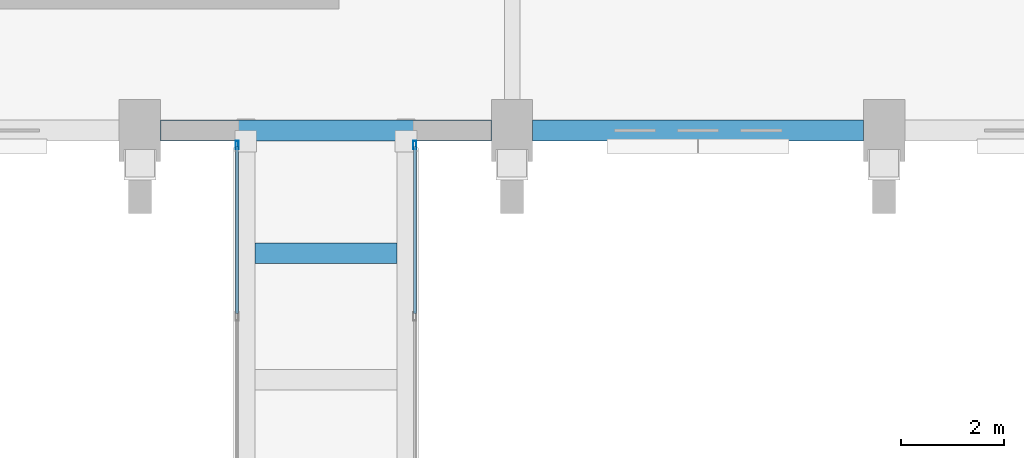
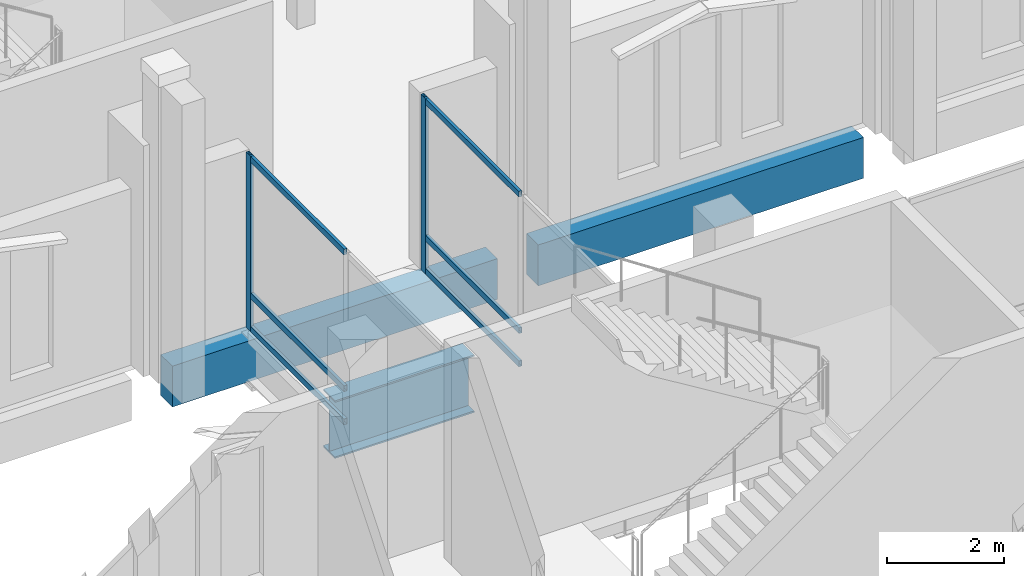
# One storey, part 68 of 193: 8 members, 3 beams, 2 elements without a shape of their own.
"""IFC4 building model written with IfcOpenShell, lengths in metres."""

from ifc_helpers import new_model, si_unit, direction, frame, origin, origin_2d, place, context, subcontext, project, spatial, rectangle, hollow_rectangle, i_section, extrude, material, material_profile, profile_set, type_object, element, aggregate, save


model = new_model("IFC4")

# Units and contexts
model_context = context("Model", 3, precision=1e-05, world=origin(), true_north=direction((0.0, 1.0)))
body_context = subcontext(model_context, "Body", "Model", "MODEL_VIEW")
ifc_project = project(units=[si_unit("LENGTHUNIT", "METRE"), si_unit("AREAUNIT", "SQUARE_METRE"), si_unit("VOLUMEUNIT", "CUBIC_METRE"), si_unit("PLANEANGLEUNIT", "RADIAN"), si_unit("MASSUNIT", "GRAM", prefix="KILO")], contexts=[model_context])

# Site, building, storey
site_placement = place(None, origin())
site = spatial("IfcSite", under=ifc_project, at=site_placement, CompositionType="ELEMENT")
building_placement = place(site_placement, origin())
building = spatial("IfcBuilding", under=site, at=building_placement, Name="Cendralis Lancet Convention Centre", CompositionType="ELEMENT")
storey_placement = place(building_placement, frame((0.0, 0.0, 10.199951171875)))
storey = spatial("IfcBuildingStorey", under=building, at=storey_placement, Name="L02", CompositionType="ELEMENT", Elevation=10.199951171875)

# Curtain wall, member
ifc_material_1 = material(Name="Anodised bronze architectural aluminium", Category="aluminium")
curtain_wall_type = type_object("IfcCurtainWallType", Name="ARC-CW-BR01", PredefinedType="USERDEFINED", material=ifc_material_1)
curtain_wall_1_placement = place(storey_placement, origin())
curtain_wall_1 = element("IfcCurtainWall", 1, at=curtain_wall_1_placement, inside=storey, type_object=curtain_wall_type, Name="L02 Curtain Wall CW-BR1 #215", ObjectType="CURTAIN WALL", PredefinedType="USERDEFINED")
ifc_material_profile_1 = material_profile(ifc_material_1, hollow_rectangle(XDim=0.06005859375, YDim=0.159912109375, WallThickness=0.00390625, at=origin_2d()), Name="AL-MULL 60x160x4.0")
ifc_profile_set_1 = profile_set([ifc_material_profile_1], Name="Anodised bronze architectural aluminium")
member_type_1 = type_object("IfcMemberType", Name="ARC-CW-ML01", PredefinedType="MULLION", material=ifc_profile_set_1)
member_1_placement = place(storey_placement, frame((148.280029296875, 42.919921875, 0.0), z_axis=(0.0, 0.0, 1.0), x_axis=(1.0, 0.0, 0.0)))
member_1 = element("IfcMember", 2, at=member_1_placement, type_object=member_type_1, Name="Mullion CW2-CW-BR1-L02-215-M2", PredefinedType="MULLION", context=body_context, shape_type="SweptSolid", body=[
    extrude(hollow_rectangle(XDim=0.06005859375, YDim=0.159912109375, WallThickness=0.00390625, at=origin_2d()), origin(), (0.0, 0.0, 1.0), 3.650146484375),
])

curtain_wall_2_placement = place(storey_placement, origin())
curtain_wall_2 = element("IfcCurtainWall", 3, at=curtain_wall_2_placement, inside=storey, type_object=curtain_wall_type, Name="L02 Curtain Wall CW-BR1 #216", ObjectType="CURTAIN WALL", PredefinedType="USERDEFINED")
member_2_placement = place(storey_placement, frame((151.719970703125, 42.919921875, 0.0), z_axis=(0.0, 0.0, 1.0), x_axis=(1.0, 0.0, 0.0)))
member_2 = element("IfcMember", 4, at=member_2_placement, type_object=member_type_1, Name="Mullion CW2-CW-BR1-L02-216-M2", PredefinedType="MULLION", context=body_context, shape_type="SweptSolid", body=[
    extrude(hollow_rectangle(XDim=0.06005859375, YDim=0.159912109375, WallThickness=0.00390625, at=origin_2d()), origin(), (0.0, 0.0, 1.0), 3.650146484375),
])

# Member
ifc_material_profile_2 = material_profile(ifc_material_1, hollow_rectangle(XDim=0.06005859375, YDim=0.1201171875, WallThickness=0.00390625, at=origin_2d()), Name="AL-TRAN 60x120x4.0")
ifc_profile_set_2 = profile_set([ifc_material_profile_2], Name="Anodised bronze architectural aluminium")
member_type_2 = type_object("IfcMemberType", Name="ARC-CW-TR01", PredefinedType="USERDEFINED", material=ifc_profile_set_2)
member_3_placement = place(storey_placement, frame((148.280029296875, 39.659912109375, 0.06005859375), z_axis=(0.0, 1.0, 0.0), x_axis=(-1.0, 0.0, 0.0)))
member_3 = element("IfcMember", 5, at=member_3_placement, type_object=member_type_2, Name="Transom CW2-CW-BR1-L02-215-T1BOT", ObjectType="TRANSOM", PredefinedType="USERDEFINED", context=body_context, shape_type="SweptSolid", body=[
    extrude(hollow_rectangle(XDim=0.06005859375, YDim=0.1201171875, WallThickness=0.00390625, at=origin_2d()), origin(), (0.0, 0.0, 1.0), 3.22998046875),
])

member_4_placement = place(storey_placement, frame((148.280029296875, 39.659912109375, 0.75), z_axis=(0.0, 1.0, 0.0), x_axis=(-1.0, 0.0, 0.0)))
member_4 = element("IfcMember", 6, at=member_4_placement, type_object=member_type_2, Name="Transom CW2-CW-BR1-L02-215-T1MID", ObjectType="TRANSOM", PredefinedType="USERDEFINED", context=body_context, shape_type="SweptSolid", body=[
    extrude(hollow_rectangle(XDim=0.06005859375, YDim=0.1201171875, WallThickness=0.00390625, at=origin_2d()), origin(), (0.0, 0.0, 1.0), 3.22998046875),
])

member_5_placement = place(storey_placement, frame((148.280029296875, 39.659912109375, 3.590087890625), z_axis=(0.0, 1.0, 0.0), x_axis=(-1.0, 0.0, 0.0)))
member_5 = element("IfcMember", 7, at=member_5_placement, type_object=member_type_2, Name="Transom CW2-CW-BR1-L02-215-T1TOP", ObjectType="TRANSOM", PredefinedType="USERDEFINED", context=body_context, shape_type="SweptSolid", body=[
    extrude(hollow_rectangle(XDim=0.06005859375, YDim=0.1201171875, WallThickness=0.00390625, at=origin_2d()), origin(), (0.0, 0.0, 1.0), 3.22998046875),
])

aggregate(curtain_wall_1, [member_1, member_3, member_4, member_5])

member_6_placement = place(storey_placement, frame((151.719970703125, 39.659912109375, 0.06005859375), z_axis=(0.0, 1.0, 0.0), x_axis=(-1.0, 0.0, 0.0)))
member_6 = element("IfcMember", 8, at=member_6_placement, type_object=member_type_2, Name="Transom CW2-CW-BR1-L02-216-T1BOT", ObjectType="TRANSOM", PredefinedType="USERDEFINED", context=body_context, shape_type="SweptSolid", body=[
    extrude(hollow_rectangle(XDim=0.06005859375, YDim=0.1201171875, WallThickness=0.00390625, at=origin_2d()), origin(), (0.0, 0.0, 1.0), 3.22998046875),
])

member_7_placement = place(storey_placement, frame((151.719970703125, 39.659912109375, 0.75), z_axis=(0.0, 1.0, 0.0), x_axis=(-1.0, 0.0, 0.0)))
member_7 = element("IfcMember", 9, at=member_7_placement, type_object=member_type_2, Name="Transom CW2-CW-BR1-L02-216-T1MID", ObjectType="TRANSOM", PredefinedType="USERDEFINED", context=body_context, shape_type="SweptSolid", body=[
    extrude(hollow_rectangle(XDim=0.06005859375, YDim=0.1201171875, WallThickness=0.00390625, at=origin_2d()), origin(), (0.0, 0.0, 1.0), 3.22998046875),
])

member_8_placement = place(storey_placement, frame((151.719970703125, 39.659912109375, 3.590087890625), z_axis=(0.0, 1.0, 0.0), x_axis=(-1.0, 0.0, 0.0)))
member_8 = element("IfcMember", 10, at=member_8_placement, type_object=member_type_2, Name="Transom CW2-CW-BR1-L02-216-T1TOP", ObjectType="TRANSOM", PredefinedType="USERDEFINED", context=body_context, shape_type="SweptSolid", body=[
    extrude(hollow_rectangle(XDim=0.06005859375, YDim=0.1201171875, WallThickness=0.00390625, at=origin_2d()), origin(), (0.0, 0.0, 1.0), 3.22998046875),
])

aggregate(curtain_wall_2, [member_2, member_6, member_7, member_8])

# Beams
ifc_material_2 = material(Name="Steel S355", Category="steel")
ifc_material_profile_3 = material_profile(ifc_material_2, i_section(OverallWidth=0.39990234375, OverallDepth=1.199951171875, WebThickness=0.01806640625, FlangeThickness=0.031982421875, at=origin_2d()), Name="PG 1200x400")
ifc_profile_set_3 = profile_set([ifc_material_profile_3], Name="Steel S355")
beam_type_1 = type_object("IfcBeamType", Name="STR-BM-SG03", PredefinedType="BEAM", material=ifc_profile_set_3)
beam_placement = place(storey_placement, frame((148.6298828125, 40.823974609375, -0.820068359375), z_axis=(1.0, 0.0, 0.0), x_axis=(0.0, 1.0, 0.0)))
element("IfcBeam", 11, at=beam_placement, inside=storey, type_object=beam_type_1, Name="L02 Beam SG03 #1939", PredefinedType="BEAM", context=body_context, shape_type="SweptSolid", body=[
    extrude(i_section(OverallWidth=0.39990234375, OverallDepth=1.199951171875, WebThickness=0.01806640625, FlangeThickness=0.031982421875, at=origin_2d()), origin(), (0.0, 0.0, 1.0), 2.740234375),
])
ifc_material_3 = material(Name="Concrete G40 (C40/50)", Category="concrete")
ifc_material_profile_4 = material_profile(ifc_material_3, rectangle(XDim=0.39990234375, YDim=0.85009765625, at=origin_2d()), Name="RCB 400x850")
ifc_profile_set_4 = profile_set([ifc_material_profile_4], Name="Concrete G40 (C40/50)")
beam_type_2 = type_object("IfcBeamType", Name="STR-SP-SP02", PredefinedType="SPANDREL", material=ifc_profile_set_4)
for number, where, z_axis, x_axis, name in (
    (12, (146.800048828125, 43.199951171875, -0.724853515625), (1.0, 0.0, 0.0), (0.0, 1.0, 0.0), "L02 Beam SP02 #1450"),
    (13, (154.0, 43.199951171875, -0.724853515625), (1.0, 0.0, 0.0), (0.0, 1.0, 0.0), "L02 Beam SP02 #1451"),
):
    element("IfcBeam", number, at=place(storey_placement, frame(where, z_axis=z_axis, x_axis=x_axis)), inside=storey, type_object=beam_type_2, Name=name, PredefinedType="SPANDREL", context=body_context, shape_type="SweptSolid", body=[
        extrude(rectangle(XDim=0.39990234375, YDim=0.85009765625, at=origin_2d()), origin(), (0.0, 0.0, 1.0), 6.39990234375),
    ])

save(model, "model.ifc")
